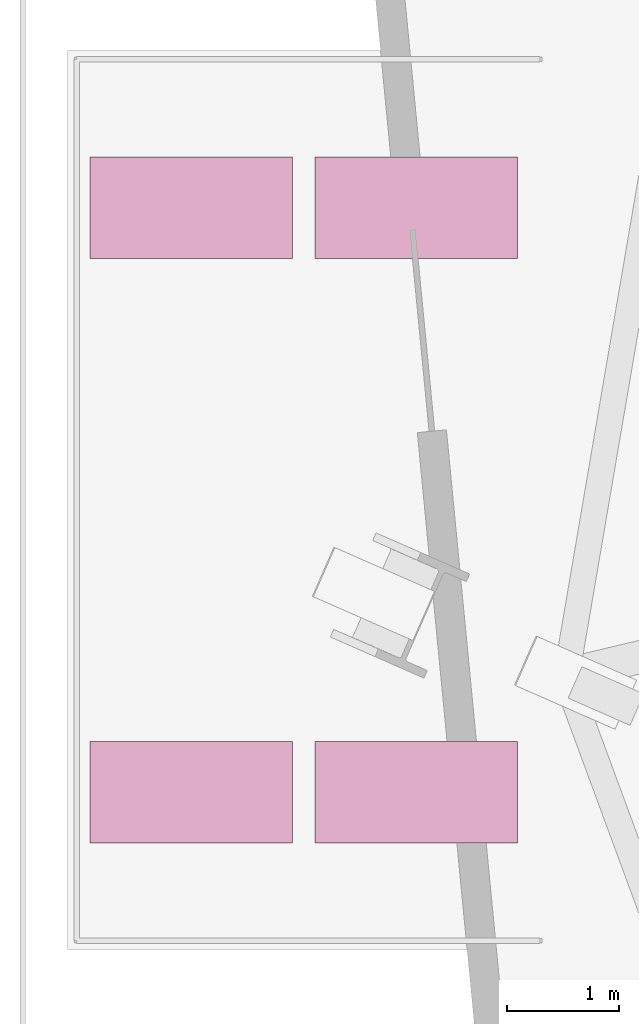
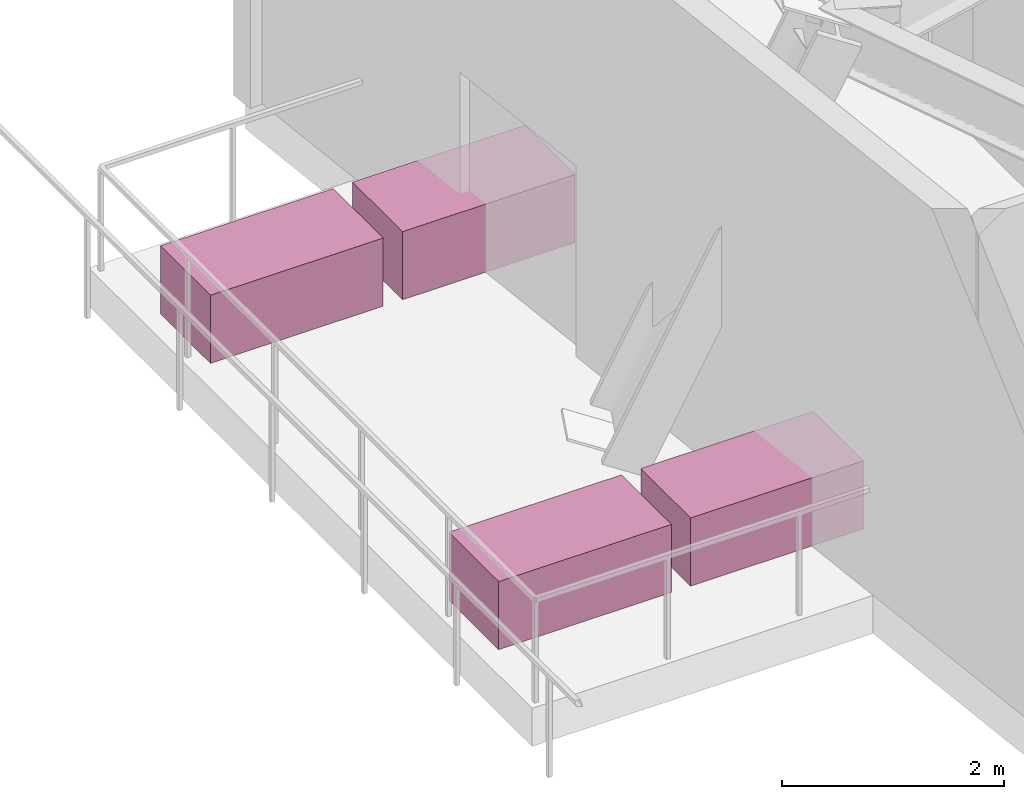
# One storey, part 28 of 28: 4 furnishings.
"""IFC4 building model written with IfcOpenShell, lengths in metres."""

from ifc_helpers import new_model, si_unit, direction, frame, origin, origin_2d, place, context, subcontext, project, spatial, rectangle, extrude, source, transform, mapped, material, type_object, type_shapes, element, save


model = new_model("IFC4")

# Units and contexts
model_context = context("Model", 3, precision=1e-05, world=origin(), true_north=direction((0.0, 1.0)))
body_context = subcontext(model_context, "Body", "Model", "MODEL_VIEW")
ifc_project = project(units=[si_unit("LENGTHUNIT", "METRE"), si_unit("AREAUNIT", "SQUARE_METRE"), si_unit("VOLUMEUNIT", "CUBIC_METRE"), si_unit("PLANEANGLEUNIT", "RADIAN"), si_unit("MASSUNIT", "GRAM", prefix="KILO")], contexts=[model_context])

# Site, building, storey
site_placement = place(None, origin())
site = spatial("IfcSite", under=ifc_project, at=site_placement, CompositionType="ELEMENT")
building_placement = place(site_placement, origin())
building = spatial("IfcBuilding", under=site, at=building_placement, Name="Astriad Promenade Condominiums", CompositionType="ELEMENT")
storey_placement = place(building_placement, frame((0.0, 0.0, 72.60009765625)))
storey = spatial("IfcBuildingStorey", under=building, at=storey_placement, Name="L20", CompositionType="ELEMENT", Elevation=72.60009765625)

# Furnishings
ifc_material = material(Name="Architectural Precast Concrete Planter", Category="concrete")
furnishing_element_type = type_object("IfcFurnishingElementType", Name="PLANTER-SKYGARDEN-1800", material=ifc_material)
shared_shape = source(origin(), body_context, "Body", "SweptSolid", [
    extrude(rectangle(XDim=1.800048828125, YDim=0.89990234375, at=origin_2d()), origin(), (0.0, 0.0, 1.0), 0.75),
])
type_shapes(furnishing_element_type, [shared_shape])
for number, where, z_axis, x_axis, name in (
    (1, (7.300048828125, 12.60009765625, 0.0), (0.0, 0.0, 1.0), (1.0, 0.0, 0.0), "PLN-SG-L20-1"),
    (2, (9.300048828125, 12.60009765625, 0.0), (0.0, 0.0, 1.0), (1.0, 0.0, 0.0), "PLN-SG-L20-2"),
    (3, (7.300048828125, 17.800048828125, 0.0), (0.0, 0.0, 1.0), (1.0, 0.0, 0.0), "PLN-SG-L20-3"),
    (4, (9.300048828125, 17.800048828125, 0.0), (0.0, 0.0, 1.0), (1.0, 0.0, 0.0), "PLN-SG-L20-4"),
):
    element("IfcFurnishingElement", number, at=place(storey_placement, frame(where, z_axis=z_axis, x_axis=x_axis)), inside=storey, type_object=furnishing_element_type, Name=name, ObjectType="PLANTER", context=body_context, shape_type="MappedRepresentation", body=[
        mapped(shared_shape, transform((0.0, 0.0, 0.0), scale=1.0)),
    ])

save(model, "model.ifc")
